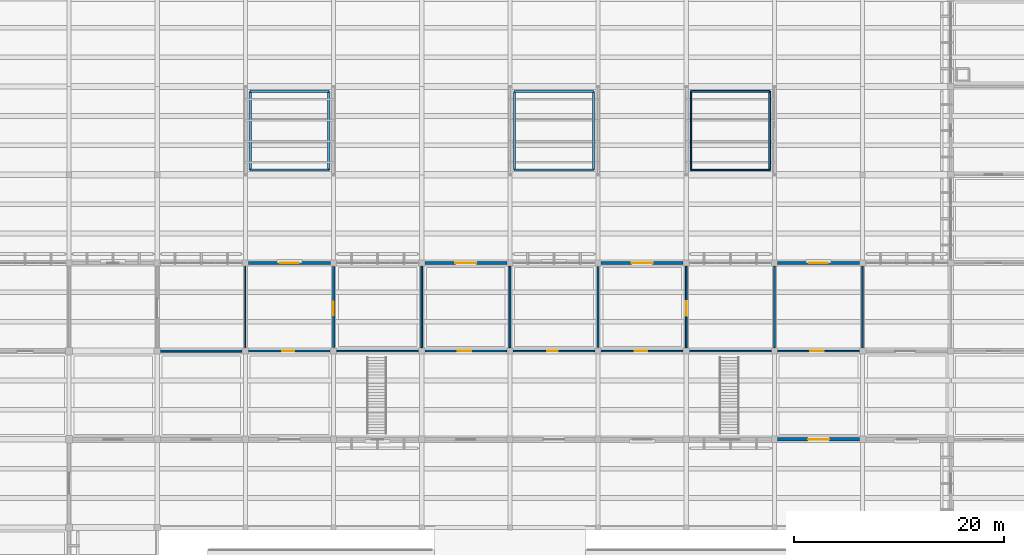
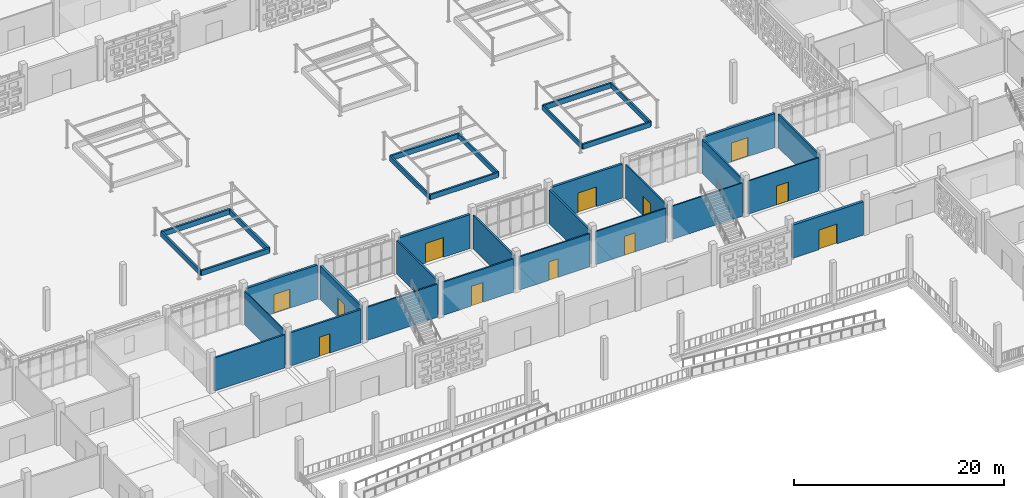
# One storey, part 61 of 129: 33 walls, 12 doors, 12 openings.
"""IFC4 building model written with IfcOpenShell, lengths in metres."""

from ifc_helpers import new_model, si_unit, direction, frame, frame_2d, origin, place, context, subcontext, project, spatial, rectangle, extrude, material, layer, layer_set, type_object, element, fill, save


model = new_model("IFC4")

# Units and contexts
model_context = context("Model", 3, precision=1e-05, world=origin(), true_north=direction((0.0, 1.0)))
body_context = subcontext(model_context, "Body", "Model", "MODEL_VIEW")
ifc_project = project(units=[si_unit("LENGTHUNIT", "METRE"), si_unit("AREAUNIT", "SQUARE_METRE"), si_unit("VOLUMEUNIT", "CUBIC_METRE"), si_unit("PLANEANGLEUNIT", "RADIAN"), si_unit("MASSUNIT", "GRAM", prefix="KILO")], contexts=[model_context])

# Site, building, storey
site_placement = place(None, origin())
site = spatial("IfcSite", under=ifc_project, at=site_placement, CompositionType="ELEMENT")
building_placement = place(site_placement, origin())
building = spatial("IfcBuilding", under=site, at=building_placement, Name="Varnapada Polytechnic", CompositionType="ELEMENT")
storey_placement = place(building_placement, origin())
storey = spatial("IfcBuildingStorey", under=building, at=storey_placement, Name="L00", CompositionType="ELEMENT", Elevation=0.0)

# Wall, opening, door
ifc_material_1 = material(Name="Moisture-Resistant Cement Board Partition")
ifc_layer_1 = layer(ifc_material_1, 0.139892578125)
ifc_layer_set_1 = layer_set([ifc_layer_1], Name="Moisture-Resistant Cement Board Partition")
wall_type_1 = type_object("IfcWallType", Name="Interior Wall IW-04", PredefinedType="PARTITIONING", material=ifc_layer_set_1)
wall_1_placement = place(storey_placement, frame((101.1201171875, 33.60009765625, 0.0), z_axis=(0.0, 0.0, 1.0), x_axis=(1.0, 0.0, 0.0)))
wall_1 = element("IfcWall", 1, at=wall_1_placement, inside=storey, type_object=wall_type_1, Name="L00 interior partition IW-L00-12-03-H", PredefinedType="PARTITIONING", context=body_context, shape_type="SweptSolid", body=[
    extrude(rectangle(XDim=7.759765625, YDim=0.139892578125, at=frame_2d((3.8798828125, 0.0))), origin(), (0.0, 0.0, 1.0), 3.8701171875),
])
opening_1_placement = place(wall_1_placement, frame((3.14990234375, 0.0, 0.0)))
opening_1 = element("IfcOpeningElement", 2, at=opening_1_placement, cuts=wall_1, Name="Opening D-887", PredefinedType="OPENING", context=body_context, shape_type="SweptSolid", body=[
    extrude(rectangle(XDim=1.199951171875, YDim=2.199951171875, at=frame_2d((0.60009765625, 1.10009765625))), frame((0.0, 0.079833984375, 0.0), z_axis=(0.0, -1.0, 0.0), x_axis=(1.0, 0.0, 0.0)), (0.0, 0.0, 1.0), 0.159912109375),
])
ifc_material_2 = material(Name="Solid Teak Hardwood Timber", Category="wood")
door_type_1 = type_object("IfcDoorType", Name="Interior Door ID-05", OperationType="NOTDEFINED", PredefinedType="DOOR", material=ifc_material_2)
door_1_placement = place(opening_1_placement, frame((1.199951171875, 0.0, 0.0), z_axis=(0.0, 0.0, 1.0), x_axis=(-1.0, 0.0, 0.0)))
door_1 = element("IfcDoor", 3, at=door_1_placement, inside=storey, type_object=door_type_1, Name="L00 interior room door D-887", OperationType="SINGLE_SWING_RIGHT", OverallHeight=2.199951171875, OverallWidth=1.199951171875, PredefinedType="DOOR", context=body_context, shape_type="SweptSolid", body=[
    extrude(rectangle(XDim=1.199951171875, YDim=2.199951171875, at=frame_2d((0.60009765625, 1.10009765625))), frame((0.0, 0.02490234375, 0.0), z_axis=(0.0, -1.0, 0.0), x_axis=(1.0, 0.0, 0.0)), (0.0, 0.0, 1.0), 0.050048828125),
])
fill(opening_1, door_1)

# Wall
ifc_material_3 = material(Name="Cross-laminated timber CLT C24", Category="wood")
ifc_layer_2 = layer(ifc_material_3, 0.159912109375)
ifc_layer_set_2 = layer_set([ifc_layer_2], Name="Cross-laminated timber CLT C24")
wall_type_2 = type_object("IfcWallType", Name="Interior Wall IW-05", PredefinedType="PARTITIONING", material=ifc_layer_set_2)
wall_2_placement = place(storey_placement, frame((75.919921875, 33.60009765625, 0.0), z_axis=(0.0, 0.0, 1.0), x_axis=(1.0, 0.0, 0.0)))
element("IfcWall", 4, at=wall_2_placement, inside=storey, type_object=wall_type_2, Name="L00 interior partition IW-L00-09-03-H", PredefinedType="PARTITIONING", context=body_context, shape_type="SweptSolid", body=[
    extrude(rectangle(XDim=7.760009765625, YDim=0.159912109375, at=frame_2d((3.8798828125, 0.0))), origin(), (0.0, 0.0, 1.0), 3.8701171875),
])

# Wall, opening, door
wall_3_placement = place(storey_placement, frame((109.199951171875, 33.919921875, 0.0), z_axis=(0.0, 0.0, 1.0), x_axis=(0.0, 1.0, 0.0)))
wall_3 = element("IfcWall", 5, at=wall_3_placement, inside=storey, type_object=wall_type_2, Name="L00 interior partition IW-L00-12-04-V", PredefinedType="PARTITIONING", context=body_context, shape_type="SweptSolid", body=[
    extrude(rectangle(XDim=7.760009765625, YDim=0.159912109375, at=frame_2d((3.8798828125, 0.0))), origin(), (0.0, 0.0, 1.0), 3.919921875),
])
opening_2_placement = place(wall_3_placement, frame((3.050048828125, 0.0, 0.0)))
opening_2 = element("IfcOpeningElement", 6, at=opening_2_placement, cuts=wall_3, Name="Opening D-888", PredefinedType="OPENING", context=body_context, shape_type="SweptSolid", body=[
    extrude(rectangle(XDim=1.39990234375, YDim=2.25, at=frame_2d((0.699951171875, 1.125))), frame((0.0, 0.08984375, 0.0), z_axis=(0.0, -1.0, 0.0), x_axis=(1.0, 0.0, 0.0)), (0.0, 0.0, 1.0), 0.179931640625),
])
ifc_material_4 = material(Name="Powder-Coated Aluminium 6063-T6", Category="aluminium")
door_type_2 = type_object("IfcDoorType", Name="Interior Door ID-06", OperationType="NOTDEFINED", PredefinedType="DOOR", material=ifc_material_4)
door_2_placement = place(opening_2_placement, origin())
door_2 = element("IfcDoor", 7, at=door_2_placement, inside=storey, type_object=door_type_2, Name="L00 interior room door D-888", OperationType="SINGLE_SWING_LEFT", OverallHeight=2.25, OverallWidth=1.39990234375, PredefinedType="DOOR", context=body_context, shape_type="SweptSolid", body=[
    extrude(rectangle(XDim=1.39990234375, YDim=2.25, at=frame_2d((0.699951171875, 1.125))), frame((0.0, 0.02490234375, 0.0), z_axis=(0.0, -1.0, 0.0), x_axis=(1.0, 0.0, 0.0)), (0.0, 0.0, 1.0), 0.050048828125),
])
fill(opening_2, door_2)

# Walls
ifc_material_5 = material(Name="Acoustic Double-Stud Studio Partition")
ifc_layer_3 = layer(ifc_material_5, 0.179931640625)
ifc_layer_set_3 = layer_set([ifc_layer_3], Name="Acoustic Double-Stud Studio Partition")
wall_type_3 = type_object("IfcWallType", Name="Interior Wall IW-06", PredefinedType="PARTITIONING", material=ifc_layer_set_3)
wall_4_placement = place(storey_placement, frame((84.0, 33.919921875, 0.0), z_axis=(0.0, 0.0, 1.0), x_axis=(0.0, 1.0, 0.0)))
element("IfcWall", 8, at=wall_4_placement, inside=storey, type_object=wall_type_3, Name="L00 interior partition IW-L00-09-04-V", PredefinedType="PARTITIONING", context=body_context, shape_type="SweptSolid", body=[
    extrude(rectangle(XDim=7.760009765625, YDim=0.179931640625, at=frame_2d((3.8798828125, 0.0))), origin(), (0.0, 0.0, 1.0), 3.919921875),
])
ifc_material_6 = material(Name="Calcium Silicate Acoustic Lab Partition")
ifc_layer_4 = layer(ifc_material_6, 0.135009765625)
ifc_layer_set_4 = layer_set([ifc_layer_4], Name="Calcium Silicate Acoustic Lab Partition")
wall_type_4 = type_object("IfcWallType", Name="Interior Wall IW-09", PredefinedType="PARTITIONING", material=ifc_layer_set_4)
wall_5_placement = place(storey_placement, frame((109.52001953125, 33.60009765625, 0.0), z_axis=(0.0, 0.0, 1.0), x_axis=(1.0, 0.0, 0.0)))
element("IfcWall", 9, at=wall_5_placement, inside=storey, type_object=wall_type_4, Name="L00 interior partition IW-L00-13-03-H", PredefinedType="PARTITIONING", context=body_context, shape_type="SweptSolid", body=[
    extrude(rectangle(XDim=7.760009765625, YDim=0.135009765625, at=frame_2d((3.8798828125, 0.0))), origin(), (0.0, 0.0, 1.0), 3.8701171875),
])

# Wall, opening, door
ifc_material_7 = material(Name="Double-Layer Fireboard Workshop Wall")
ifc_layer_5 = layer(ifc_material_7, 0.169921875)
ifc_layer_set_5 = layer_set([ifc_layer_5], Name="Double-Layer Fireboard Workshop Wall")
wall_type_5 = type_object("IfcWallType", Name="Interior Wall IW-10", PredefinedType="PARTITIONING", material=ifc_layer_set_5)
wall_6_placement = place(storey_placement, frame((84.320068359375, 33.60009765625, 0.0), z_axis=(0.0, 0.0, 1.0), x_axis=(1.0, 0.0, 0.0)))
wall_6 = element("IfcWall", 10, at=wall_6_placement, inside=storey, type_object=wall_type_5, Name="L00 interior partition IW-L00-10-03-H", PredefinedType="PARTITIONING", context=body_context, shape_type="SweptSolid", body=[
    extrude(rectangle(XDim=7.760009765625, YDim=0.169921875, at=frame_2d((3.8798828125, 0.0))), origin(), (0.0, 0.0, 1.0), 3.8701171875),
])
opening_3_placement = place(wall_6_placement, frame((3.125, 0.0, 0.0)))
opening_3 = element("IfcOpeningElement", 11, at=opening_3_placement, cuts=wall_6, Name="Opening D-881", PredefinedType="OPENING", context=body_context, shape_type="SweptSolid", body=[
    extrude(rectangle(XDim=1.25, YDim=2.300048828125, at=frame_2d((0.625, 1.14990234375))), frame((0.0, 0.094970703125, 0.0), z_axis=(0.0, -1.0, 0.0), x_axis=(1.0, 0.0, 0.0)), (0.0, 0.0, 1.0), 0.18994140625),
])
door_type_3 = type_object("IfcDoorType", Name="Interior Door ID-16", OperationType="NOTDEFINED", PredefinedType="DOOR", material=ifc_material_2)
door_3_placement = place(opening_3_placement, frame((1.25, 0.0, 0.0), z_axis=(0.0, 0.0, 1.0), x_axis=(-1.0, 0.0, 0.0)))
door_3 = element("IfcDoor", 12, at=door_3_placement, inside=storey, type_object=door_type_3, Name="L00 interior room door D-881", OperationType="SINGLE_SWING_RIGHT", OverallHeight=2.300048828125, OverallWidth=1.25, PredefinedType="DOOR", context=body_context, shape_type="SweptSolid", body=[
    extrude(rectangle(XDim=1.25, YDim=2.300048828125, at=frame_2d((0.625, 1.14990234375))), frame((0.0, 0.02490234375, 0.0), z_axis=(0.0, -1.0, 0.0), x_axis=(1.0, 0.0, 0.0)), (0.0, 0.0, 1.0), 0.050048828125),
])
fill(opening_3, door_3)

# Walls
wall_7_placement = place(storey_placement, frame((117.60009765625, 33.919921875, 0.0), z_axis=(0.0, 0.0, 1.0), x_axis=(0.0, 1.0, 0.0)))
element("IfcWall", 13, at=wall_7_placement, inside=storey, type_object=wall_type_5, Name="L00 interior partition IW-L00-13-04-V", PredefinedType="PARTITIONING", context=body_context, shape_type="SweptSolid", body=[
    extrude(rectangle(XDim=7.760009765625, YDim=0.169921875, at=frame_2d((3.8798828125, 0.0))), origin(), (0.0, 0.0, 1.0), 3.919921875),
])
ifc_material_8 = material(Name="Insulated Masonry Plant Room Wall", Category="masonry")
ifc_layer_6 = layer(ifc_material_8, 0.18994140625)
ifc_layer_set_6 = layer_set([ifc_layer_6], Name="Insulated Masonry Plant Room Wall")
wall_type_6 = type_object("IfcWallType", Name="Interior Wall IW-11", PredefinedType="PARTITIONING", material=ifc_layer_set_6)
wall_8_placement = place(storey_placement, frame((59.1201171875, 33.60009765625, 0.0), z_axis=(0.0, 0.0, 1.0), x_axis=(1.0, 0.0, 0.0)))
element("IfcWall", 14, at=wall_8_placement, inside=storey, type_object=wall_type_6, Name="L00 interior partition IW-L00-07-03-H", PredefinedType="PARTITIONING", context=body_context, shape_type="SweptSolid", body=[
    extrude(rectangle(XDim=7.759765625, YDim=0.18994140625, at=frame_2d((3.8798828125, 0.0))), origin(), (0.0, 0.0, 1.0), 3.860107421875),
])
wall_9_placement = place(storey_placement, frame((92.39990234375, 33.919921875, 0.0), z_axis=(0.0, 0.0, 1.0), x_axis=(0.0, 1.0, 0.0)))
element("IfcWall", 15, at=wall_9_placement, inside=storey, type_object=wall_type_6, Name="L00 interior partition IW-L00-10-04-V", PredefinedType="PARTITIONING", context=body_context, shape_type="SweptSolid", body=[
    extrude(rectangle(XDim=7.760009765625, YDim=0.18994140625, at=frame_2d((3.8798828125, 0.0))), origin(), (0.0, 0.0, 1.0), 3.919921875),
])
ifc_material_9 = material(Name="Timber-Stud Studio Critique Partition", Category="wood")
ifc_layer_7 = layer(ifc_material_9, 0.114990234375)
ifc_layer_set_7 = layer_set([ifc_layer_7], Name="Timber-Stud Studio Critique Partition")
wall_type_7 = type_object("IfcWallType", Name="Interior Wall IW-12", PredefinedType="PARTITIONING", material=ifc_layer_set_7)
wall_10_placement = place(storey_placement, frame((67.199951171875, 33.919921875, 0.0), z_axis=(0.0, 0.0, 1.0), x_axis=(0.0, 1.0, 0.0)))
element("IfcWall", 16, at=wall_10_placement, inside=storey, type_object=wall_type_7, Name="L00 interior partition IW-L00-07-04-V", PredefinedType="PARTITIONING", context=body_context, shape_type="SweptSolid", body=[
    extrude(rectangle(XDim=7.760009765625, YDim=0.114990234375, at=frame_2d((3.8798828125, 0.0))), origin(), (0.0, 0.0, 1.0), 3.919921875),
])

# Wall, opening, door
ifc_material_10 = material(Name="Ceramic-Tiled Wet Laboratory Wall")
ifc_layer_8 = layer(ifc_material_10, 0.14501953125)
ifc_layer_set_8 = layer_set([ifc_layer_8], Name="Ceramic-Tiled Wet Laboratory Wall")
wall_type_8 = type_object("IfcWallType", Name="Interior Wall IW-14", PredefinedType="PARTITIONING", material=ifc_layer_set_8)
wall_11_placement = place(storey_placement, frame((117.919921875, 33.60009765625, 0.0), z_axis=(0.0, 0.0, 1.0), x_axis=(1.0, 0.0, 0.0)))
wall_11 = element("IfcWall", 17, at=wall_11_placement, inside=storey, type_object=wall_type_8, Name="L00 interior partition IW-L00-14-03-H", PredefinedType="PARTITIONING", context=body_context, shape_type="SweptSolid", body=[
    extrude(rectangle(XDim=7.760009765625, YDim=0.14501953125, at=frame_2d((3.8798828125, 0.0))), origin(), (0.0, 0.0, 1.0), 3.8701171875),
])
opening_4_placement = place(wall_11_placement, frame((3.10009765625, 0.0, 0.0)))
opening_4 = element("IfcOpeningElement", 18, at=opening_4_placement, cuts=wall_11, Name="Opening D-893", PredefinedType="OPENING", context=body_context, shape_type="SweptSolid", body=[
    extrude(rectangle(XDim=1.300048828125, YDim=2.199951171875, at=frame_2d((0.64990234375, 1.10009765625))), frame((0.0, 0.08251953125, 0.0), z_axis=(0.0, -1.0, 0.0), x_axis=(1.0, 0.0, 0.0)), (0.0, 0.0, 1.0), 0.1650390625),
])
ifc_material_11 = material(Name="Acoustic Laminated Timber Leaf", Category="wood")
door_type_4 = type_object("IfcDoorType", Name="Interior Door ID-11", OperationType="NOTDEFINED", PredefinedType="DOOR", material=ifc_material_11)
door_4_placement = place(opening_4_placement, frame((1.300048828125, 0.0, 0.0), z_axis=(0.0, 0.0, 1.0), x_axis=(-1.0, 0.0, 0.0)))
door_4 = element("IfcDoor", 19, at=door_4_placement, inside=storey, type_object=door_type_4, Name="L00 interior room door D-893", OperationType="SINGLE_SWING_RIGHT", OverallHeight=2.199951171875, OverallWidth=1.300048828125, PredefinedType="DOOR", context=body_context, shape_type="SweptSolid", body=[
    extrude(rectangle(XDim=1.300048828125, YDim=2.199951171875, at=frame_2d((0.64990234375, 1.10009765625))), frame((0.0, 0.02490234375, 0.0), z_axis=(0.0, -1.0, 0.0), x_axis=(1.0, 0.0, 0.0)), (0.0, 0.0, 1.0), 0.050048828125),
])
fill(opening_4, door_4)

ifc_material_12 = material(Name="Perforated Timber-Lined Seminar Wall", Category="wood")
ifc_layer_9 = layer(ifc_material_12, 0.155029296875)
ifc_layer_set_9 = layer_set([ifc_layer_9], Name="Perforated Timber-Lined Seminar Wall")
wall_type_9 = type_object("IfcWallType", Name="Interior Wall IW-15", PredefinedType="PARTITIONING", material=ifc_layer_set_9)
wall_12_placement = place(storey_placement, frame((92.719970703125, 33.60009765625, 0.0), z_axis=(0.0, 0.0, 1.0), x_axis=(1.0, 0.0, 0.0)))
wall_12 = element("IfcWall", 20, at=wall_12_placement, inside=storey, type_object=wall_type_9, Name="L00 interior partition IW-L00-11-03-H", PredefinedType="PARTITIONING", context=body_context, shape_type="SweptSolid", body=[
    extrude(rectangle(XDim=7.760009765625, YDim=0.155029296875, at=frame_2d((3.8798828125, 0.0))), origin(), (0.0, 0.0, 1.0), 3.8701171875),
])
opening_5_placement = place(wall_12_placement, frame((3.25, 0.0, 0.0)))
opening_5 = element("IfcOpeningElement", 21, at=opening_5_placement, cuts=wall_12, Name="Opening D-884", PredefinedType="OPENING", context=body_context, shape_type="SweptSolid", body=[
    extrude(rectangle(XDim=1.0, YDim=2.14990234375, at=frame_2d((0.5, 1.074951171875))), frame((0.0, 0.08740234375, 0.0), z_axis=(0.0, -1.0, 0.0), x_axis=(1.0, 0.0, 0.0)), (0.0, 0.0, 1.0), 0.175048828125),
])
door_type_5 = type_object("IfcDoorType", Name="Interior Door ID-02", OperationType="NOTDEFINED", PredefinedType="DOOR", material=ifc_material_2)
door_5_placement = place(opening_5_placement, frame((1.0, 0.0, 0.0), z_axis=(0.0, 0.0, 1.0), x_axis=(-1.0, 0.0, 0.0)))
door_5 = element("IfcDoor", 22, at=door_5_placement, inside=storey, type_object=door_type_5, Name="L00 interior room door D-884", OperationType="SINGLE_SWING_LEFT", OverallHeight=2.14990234375, OverallWidth=1.0, PredefinedType="DOOR", context=body_context, shape_type="SweptSolid", body=[
    extrude(rectangle(XDim=1.0, YDim=2.14990234375, at=frame_2d((0.5, 1.074951171875))), frame((0.0, 0.02490234375, 0.0), z_axis=(0.0, -1.0, 0.0), x_axis=(1.0, 0.0, 0.0)), (0.0, 0.0, 1.0), 0.050048828125),
])
fill(opening_5, door_5)

# Wall
wall_13_placement = place(storey_placement, frame((126.0, 33.919921875, 0.0), z_axis=(0.0, 0.0, 1.0), x_axis=(0.0, 1.0, 0.0)))
element("IfcWall", 23, at=wall_13_placement, inside=storey, type_object=wall_type_9, Name="L00 interior partition IW-L00-14-04-V", PredefinedType="PARTITIONING", context=body_context, shape_type="SweptSolid", body=[
    extrude(rectangle(XDim=7.760009765625, YDim=0.155029296875, at=frame_2d((3.8798828125, 0.0))), origin(), (0.0, 0.0, 1.0), 3.919921875),
])

# Wall, opening, door
ifc_material_13 = material(Name="Heavy Masonry Workshop Partition", Category="masonry")
ifc_layer_10 = layer(ifc_material_13, 0.2099609375)
ifc_layer_set_10 = layer_set([ifc_layer_10], Name="Heavy Masonry Workshop Partition")
wall_type_10 = type_object("IfcWallType", Name="Interior Wall IW-16", PredefinedType="PARTITIONING", material=ifc_layer_set_10)
wall_14_placement = place(storey_placement, frame((67.52001953125, 33.60009765625, 0.0), z_axis=(0.0, 0.0, 1.0), x_axis=(1.0, 0.0, 0.0)))
wall_14 = element("IfcWall", 24, at=wall_14_placement, inside=storey, type_object=wall_type_10, Name="L00 interior partition IW-L00-08-03-H", PredefinedType="PARTITIONING", context=body_context, shape_type="SweptSolid", body=[
    extrude(rectangle(XDim=7.760009765625, YDim=0.2099609375, at=frame_2d((3.8798828125, 0.0))), origin(), (0.0, 0.0, 1.0), 3.8701171875),
])
opening_6_placement = place(wall_14_placement, frame((3.175048828125, 0.0, 0.0)))
opening_6 = element("IfcOpeningElement", 25, at=opening_6_placement, cuts=wall_14, Name="Opening D-875", PredefinedType="OPENING", context=body_context, shape_type="SweptSolid", body=[
    extrude(rectangle(XDim=1.14990234375, YDim=2.25, at=frame_2d((0.574951171875, 1.125))), frame((0.0, 0.114990234375, 0.0), z_axis=(0.0, -1.0, 0.0), x_axis=(1.0, 0.0, 0.0)), (0.0, 0.0, 1.0), 0.22998046875),
])
door_type_6 = type_object("IfcDoorType", Name="Interior Door ID-10", OperationType="NOTDEFINED", PredefinedType="DOOR", material=ifc_material_4)
door_6_placement = place(opening_6_placement, frame((1.14990234375, 0.0, 0.0), z_axis=(0.0, 0.0, 1.0), x_axis=(-1.0, 0.0, 0.0)))
door_6 = element("IfcDoor", 26, at=door_6_placement, inside=storey, type_object=door_type_6, Name="L00 interior room door D-875", OperationType="SINGLE_SWING_RIGHT", OverallHeight=2.25, OverallWidth=1.14990234375, PredefinedType="DOOR", context=body_context, shape_type="SweptSolid", body=[
    extrude(rectangle(XDim=1.14990234375, YDim=2.25, at=frame_2d((0.574951171875, 1.125))), frame((0.0, 0.02490234375, 0.0), z_axis=(0.0, -1.0, 0.0), x_axis=(1.0, 0.0, 0.0)), (0.0, 0.0, 1.0), 0.050048828125),
])
fill(opening_6, door_6)

# Wall
wall_15_placement = place(storey_placement, frame((100.800048828125, 33.919921875, 0.0), z_axis=(0.0, 0.0, 1.0), x_axis=(0.0, 1.0, 0.0)))
element("IfcWall", 27, at=wall_15_placement, inside=storey, type_object=wall_type_10, Name="L00 interior partition IW-L00-11-04-V", PredefinedType="PARTITIONING", context=body_context, shape_type="SweptSolid", body=[
    extrude(rectangle(XDim=7.760009765625, YDim=0.2099609375, at=frame_2d((3.8798828125, 0.0))), origin(), (0.0, 0.0, 1.0), 3.919921875),
])

# Wall, opening, door
ifc_material_14 = material(Name="Double-Leaf Acoustic Lecture Wall")
ifc_layer_11 = layer(ifc_material_14, 0.235107421875)
ifc_layer_set_11 = layer_set([ifc_layer_11], Name="Double-Leaf Acoustic Lecture Wall")
wall_type_11 = type_object("IfcWallType", Name="Interior Wall IW-17", PredefinedType="PARTITIONING", material=ifc_layer_set_11)
wall_16_placement = place(storey_placement, frame((75.60009765625, 33.919921875, 0.0), z_axis=(0.0, 0.0, 1.0), x_axis=(0.0, 1.0, 0.0)))
wall_16 = element("IfcWall", 28, at=wall_16_placement, inside=storey, type_object=wall_type_11, Name="L00 interior partition IW-L00-08-04-V", PredefinedType="PARTITIONING", context=body_context, shape_type="SweptSolid", body=[
    extrude(rectangle(XDim=7.760009765625, YDim=0.235107421875, at=frame_2d((3.8798828125, 0.0))), origin(), (0.0, 0.0, 1.0), 3.919921875),
])
opening_7_placement = place(wall_16_placement, frame((3.10009765625, 0.0, 0.0)))
opening_7 = element("IfcOpeningElement", 29, at=opening_7_placement, cuts=wall_16, Name="Opening D-876", PredefinedType="OPENING", context=body_context, shape_type="SweptSolid", body=[
    extrude(rectangle(XDim=1.300048828125, YDim=2.199951171875, at=frame_2d((0.64990234375, 1.10009765625))), frame((0.0, 0.12744140625, 0.0), z_axis=(0.0, -1.0, 0.0), x_axis=(1.0, 0.0, 0.0)), (0.0, 0.0, 1.0), 0.255126953125),
])
door_7_placement = place(opening_7_placement, origin())
door_7 = element("IfcDoor", 30, at=door_7_placement, inside=storey, type_object=door_type_4, Name="L00 interior room door D-876", OperationType="SINGLE_SWING_LEFT", OverallHeight=2.199951171875, OverallWidth=1.300048828125, PredefinedType="DOOR", context=body_context, shape_type="SweptSolid", body=[
    extrude(rectangle(XDim=1.300048828125, YDim=2.199951171875, at=frame_2d((0.64990234375, 1.10009765625))), frame((0.0, 0.02490234375, 0.0), z_axis=(0.0, -1.0, 0.0), x_axis=(1.0, 0.0, 0.0)), (0.0, 0.0, 1.0), 0.050048828125),
])
fill(opening_7, door_7)

ifc_material_15 = material(Name="Precast concrete C40/50", Category="concrete")
ifc_layer_12 = layer(ifc_material_15, 0.300048828125)
ifc_layer_set_12 = layer_set([ifc_layer_12], Name="Precast concrete C40/50")
wall_type_12 = type_object("IfcWallType", Name="Wall EW-01", PredefinedType="SOLIDWALL", material=ifc_layer_set_12)
wall_17_placement = place(storey_placement, frame((125.699951171875, 25.199951171875, 0.0), z_axis=(0.0, 0.0, 1.0), x_axis=(-1.0, 0.0, 0.0)))
wall_17 = element("IfcWall", 31, at=wall_17_placement, inside=storey, type_object=wall_type_12, Name="L00 exterior wall EW-01 (72)", PredefinedType="SOLIDWALL", context=body_context, shape_type="SweptSolid", body=[
    extrude(rectangle(XDim=7.800048828125, YDim=0.300048828125, at=frame_2d((3.89990234375, 0.0))), origin(), (0.0, 0.0, 1.0), 3.8701171875),
])
opening_8_placement = place(wall_17_placement, frame((2.89990234375, 0.0, 0.0)))
opening_8 = element("IfcOpeningElement", 32, at=opening_8_placement, cuts=wall_17, Name="Opening D-020", PredefinedType="OPENING", context=body_context, shape_type="SweptSolid", body=[
    extrude(rectangle(XDim=2.0, YDim=2.300048828125, at=frame_2d((1.0, 1.14990234375))), frame((0.0, 0.159912109375, 0.0), z_axis=(0.0, -1.0, 0.0), x_axis=(1.0, 0.0, 0.0)), (0.0, 0.0, 1.0), 0.320068359375),
])
ifc_material_16 = material(Name="Anodised aluminium and laminated glass", Category="aluminium")
door_type_7 = type_object("IfcDoorType", Name="Exterior Door ED-01", OperationType="DOUBLE_DOOR_SINGLE_SWING", PredefinedType="DOOR", material=ifc_material_16)
door_8_placement = place(opening_8_placement, origin())
door_8 = element("IfcDoor", 33, at=door_8_placement, inside=storey, type_object=door_type_7, Name="L00 final pedestrian exit door D-020", OperationType="DOUBLE_DOOR_SINGLE_SWING", OverallHeight=2.300048828125, OverallWidth=2.0, PredefinedType="DOOR", context=body_context, shape_type="SweptSolid", body=[
    extrude(rectangle(XDim=2.0, YDim=2.300048828125, at=frame_2d((1.0, 1.14990234375))), frame((0.0, 0.02490234375, 0.0), z_axis=(0.0, -1.0, 0.0), x_axis=(1.0, 0.0, 0.0)), (0.0, 0.0, 1.0), 0.050048828125),
])
fill(opening_8, door_8)

ifc_layer_13 = layer(ifc_material_15, 0.260009765625)
ifc_layer_set_13 = layer_set([ifc_layer_13], Name="Precast concrete C40/50")
wall_type_13 = type_object("IfcWallType", Name="Wall EW-03", PredefinedType="SOLIDWALL", material=ifc_layer_set_13)
wall_18_placement = place(storey_placement, frame((67.5, 42.0, 0.0), z_axis=(0.0, 0.0, 1.0), x_axis=(1.0, 0.0, 0.0)))
wall_18 = element("IfcWall", 34, at=wall_18_placement, inside=storey, type_object=wall_type_13, Name="L00 exterior wall EW-03 (49)", PredefinedType="SOLIDWALL", context=body_context, shape_type="SweptSolid", body=[
    extrude(rectangle(XDim=7.800048828125, YDim=0.260009765625, at=frame_2d((3.89990234375, 0.0))), origin(), (0.0, 0.0, 1.0), 3.9599609375),
])
opening_9_placement = place(wall_18_placement, frame((3.0, 0.0, 0.0)))
opening_9 = element("IfcOpeningElement", 35, at=opening_9_placement, cuts=wall_18, Name="Opening D-011", PredefinedType="OPENING", context=body_context, shape_type="SweptSolid", body=[
    extrude(rectangle(XDim=1.800048828125, YDim=2.199951171875, at=frame_2d((0.89990234375, 1.10009765625))), frame((0.0, 0.139892578125, 0.0), z_axis=(0.0, -1.0, 0.0), x_axis=(1.0, 0.0, 0.0)), (0.0, 0.0, 1.0), 0.280029296875),
])
ifc_material_17 = material(Name="Painted galvanized steel", Category="steel")
door_type_8 = type_object("IfcDoorType", Name="Exterior Door ED-02", OperationType="DOUBLE_DOOR_SINGLE_SWING", PredefinedType="DOOR", material=ifc_material_17)
door_9_placement = place(opening_9_placement, origin())
door_9 = element("IfcDoor", 36, at=door_9_placement, inside=storey, type_object=door_type_8, Name="L00 final pedestrian exit door D-011", OperationType="DOUBLE_DOOR_SINGLE_SWING", OverallHeight=2.199951171875, OverallWidth=1.800048828125, PredefinedType="DOOR", context=body_context, shape_type="SweptSolid", body=[
    extrude(rectangle(XDim=1.800048828125, YDim=2.199951171875, at=frame_2d((0.89990234375, 1.10009765625))), frame((0.0, 0.02490234375, 0.0), z_axis=(0.0, -1.0, 0.0), x_axis=(1.0, 0.0, 0.0)), (0.0, 0.0, 1.0), 0.050048828125),
])
fill(opening_9, door_9)

wall_19_placement = place(storey_placement, frame((84.300048828125, 42.0, 0.0), z_axis=(0.0, 0.0, 1.0), x_axis=(1.0, 0.0, 0.0)))
wall_19 = element("IfcWall", 37, at=wall_19_placement, inside=storey, type_object=wall_type_13, Name="L00 exterior wall EW-03 (57)", PredefinedType="SOLIDWALL", context=body_context, shape_type="SweptSolid", body=[
    extrude(rectangle(XDim=7.800048828125, YDim=0.260009765625, at=frame_2d((3.89990234375, 0.0))), origin(), (0.0, 0.0, 1.0), 3.9599609375),
])
opening_10_placement = place(wall_19_placement, frame((2.89990234375, 0.0, 0.0)))
opening_10 = element("IfcOpeningElement", 38, at=opening_10_placement, cuts=wall_19, Name="Opening D-014", PredefinedType="OPENING", context=body_context, shape_type="SweptSolid", body=[
    extrude(rectangle(XDim=2.0, YDim=2.300048828125, at=frame_2d((1.0, 1.14990234375))), frame((0.0, 0.139892578125, 0.0), z_axis=(0.0, -1.0, 0.0), x_axis=(1.0, 0.0, 0.0)), (0.0, 0.0, 1.0), 0.280029296875),
])
door_10_placement = place(opening_10_placement, origin())
door_10 = element("IfcDoor", 39, at=door_10_placement, inside=storey, type_object=door_type_7, Name="L00 final pedestrian exit door D-014", OperationType="DOUBLE_DOOR_SINGLE_SWING", OverallHeight=2.300048828125, OverallWidth=2.0, PredefinedType="DOOR", context=body_context, shape_type="SweptSolid", body=[
    extrude(rectangle(XDim=2.0, YDim=2.300048828125, at=frame_2d((1.0, 1.14990234375))), frame((0.0, 0.02490234375, 0.0), z_axis=(0.0, -1.0, 0.0), x_axis=(1.0, 0.0, 0.0)), (0.0, 0.0, 1.0), 0.050048828125),
])
fill(opening_10, door_10)

wall_20_placement = place(storey_placement, frame((101.10009765625, 42.0, 0.0), z_axis=(0.0, 0.0, 1.0), x_axis=(1.0, 0.0, 0.0)))
wall_20 = element("IfcWall", 40, at=wall_20_placement, inside=storey, type_object=wall_type_13, Name="L00 exterior wall EW-03 (65)", PredefinedType="SOLIDWALL", context=body_context, shape_type="SweptSolid", body=[
    extrude(rectangle(XDim=7.7998046875, YDim=0.260009765625, at=frame_2d((3.89990234375, 0.0))), origin(), (0.0, 0.0, 1.0), 3.9599609375),
])
opening_11_placement = place(wall_20_placement, frame((2.89990234375, 0.0, 0.0)))
opening_11 = element("IfcOpeningElement", 41, at=opening_11_placement, cuts=wall_20, Name="Opening D-018", PredefinedType="OPENING", context=body_context, shape_type="SweptSolid", body=[
    extrude(rectangle(XDim=2.0, YDim=2.300048828125, at=frame_2d((1.0, 1.14990234375))), frame((0.0, 0.139892578125, 0.0), z_axis=(0.0, -1.0, 0.0), x_axis=(1.0, 0.0, 0.0)), (0.0, 0.0, 1.0), 0.280029296875),
])
door_11_placement = place(opening_11_placement, origin())
door_11 = element("IfcDoor", 42, at=door_11_placement, inside=storey, type_object=door_type_7, Name="L00 final pedestrian exit door D-018", OperationType="DOUBLE_DOOR_SINGLE_SWING", OverallHeight=2.300048828125, OverallWidth=2.0, PredefinedType="DOOR", context=body_context, shape_type="SweptSolid", body=[
    extrude(rectangle(XDim=2.0, YDim=2.300048828125, at=frame_2d((1.0, 1.14990234375))), frame((0.0, 0.02490234375, 0.0), z_axis=(0.0, -1.0, 0.0), x_axis=(1.0, 0.0, 0.0)), (0.0, 0.0, 1.0), 0.050048828125),
])
fill(opening_11, door_11)

wall_21_placement = place(storey_placement, frame((117.89990234375, 42.0, 0.0), z_axis=(0.0, 0.0, 1.0), x_axis=(1.0, 0.0, 0.0)))
wall_21 = element("IfcWall", 43, at=wall_21_placement, inside=storey, type_object=wall_type_13, Name="L00 exterior wall EW-03 (73)", PredefinedType="SOLIDWALL", context=body_context, shape_type="SweptSolid", body=[
    extrude(rectangle(XDim=7.800048828125, YDim=0.260009765625, at=frame_2d((3.89990234375, 0.0))), origin(), (0.0, 0.0, 1.0), 3.9599609375),
])
opening_12_placement = place(wall_21_placement, frame((3.0, 0.0, 0.0)))
opening_12 = element("IfcOpeningElement", 44, at=opening_12_placement, cuts=wall_21, Name="Opening D-021", PredefinedType="OPENING", context=body_context, shape_type="SweptSolid", body=[
    extrude(rectangle(XDim=1.800048828125, YDim=2.199951171875, at=frame_2d((0.89990234375, 1.10009765625))), frame((0.0, 0.139892578125, 0.0), z_axis=(0.0, -1.0, 0.0), x_axis=(1.0, 0.0, 0.0)), (0.0, 0.0, 1.0), 0.280029296875),
])
door_12_placement = place(opening_12_placement, origin())
door_12 = element("IfcDoor", 45, at=door_12_placement, inside=storey, type_object=door_type_8, Name="L00 final pedestrian exit door D-021", OperationType="DOUBLE_DOOR_SINGLE_SWING", OverallHeight=2.199951171875, OverallWidth=1.800048828125, PredefinedType="DOOR", context=body_context, shape_type="SweptSolid", body=[
    extrude(rectangle(XDim=1.800048828125, YDim=2.199951171875, at=frame_2d((0.89990234375, 1.10009765625))), frame((0.0, 0.02490234375, 0.0), z_axis=(0.0, -1.0, 0.0), x_axis=(1.0, 0.0, 0.0)), (0.0, 0.0, 1.0), 0.050048828125),
])
fill(opening_12, door_12)

# Walls
ifc_layer_14 = layer(ifc_material_15, 0.219970703125)
ifc_layer_set_14 = layer_set([ifc_layer_14], Name="Precast concrete C40/50")
wall_type_14 = type_object("IfcWallType", Name="Wall PR-01", PredefinedType="PARAPET", material=ifc_layer_set_14)
for number, where, z_axis, x_axis, name in (
    (46, (67.64990234375, 50.85009765625, 0.0), (0.0, 0.0, 1.0), (1.0, 0.0, 0.0), "Courtyard planted garden planter kerb CT-BED-1.1"),
    (47, (75.14990234375, 50.85009765625, 0.0), (0.0, 0.0, 1.0), (0.0, 1.0, 0.0), "Courtyard planted garden planter kerb CT-BED-1.2"),
    (48, (75.14990234375, 58.35009765625, 0.0), (0.0, 0.0, 1.0), (-1.0, 0.0, 0.0), "Courtyard planted garden planter kerb CT-BED-1.3"),
    (49, (67.64990234375, 58.35009765625, 0.0), (0.0, 0.0, 1.0), (0.0, -1.0, 0.0), "Courtyard planted garden planter kerb CT-BED-1.4"),
):
    element("IfcWall", number, at=place(storey_placement, frame(where, z_axis=z_axis, x_axis=x_axis)), inside=storey, type_object=wall_type_14, Name=name, PredefinedType="PARAPET", context=body_context, shape_type="SweptSolid", body=[
        extrude(rectangle(XDim=7.5, YDim=0.219970703125, at=frame_2d((3.75, 0.0))), origin(), (0.0, 0.0, 1.0), 0.580078125),
    ])
ifc_layer_15 = layer(ifc_material_15, 0.199951171875)
ifc_layer_set_15 = layer_set([ifc_layer_15], Name="Precast concrete C40/50")
wall_type_15 = type_object("IfcWallType", Name="Wall PR-02", PredefinedType="PARAPET", material=ifc_layer_set_15)
for number, where, z_axis, x_axis, name in (
    (50, (92.85009765625, 50.85009765625, 0.0), (0.0, 0.0, 1.0), (1.0, 0.0, 0.0), "Courtyard planted garden planter kerb CT-BED-2.1"),
    (51, (100.35009765625, 50.85009765625, 0.0), (0.0, 0.0, 1.0), (0.0, 1.0, 0.0), "Courtyard planted garden planter kerb CT-BED-2.2"),
    (52, (100.35009765625, 58.35009765625, 0.0), (0.0, 0.0, 1.0), (-1.0, 0.0, 0.0), "Courtyard planted garden planter kerb CT-BED-2.3"),
    (53, (92.85009765625, 58.35009765625, 0.0), (0.0, 0.0, 1.0), (0.0, -1.0, 0.0), "Courtyard planted garden planter kerb CT-BED-2.4"),
):
    element("IfcWall", number, at=place(storey_placement, frame(where, z_axis=z_axis, x_axis=x_axis)), inside=storey, type_object=wall_type_15, Name=name, PredefinedType="PARAPET", context=body_context, shape_type="SweptSolid", body=[
        extrude(rectangle(XDim=7.5, YDim=0.199951171875, at=frame_2d((3.75, 0.0))), origin(), (0.0, 0.0, 1.0), 0.580078125),
    ])
ifc_layer_16 = layer(ifc_material_15, 0.179931640625)
ifc_layer_set_16 = layer_set([ifc_layer_16], Name="Precast concrete C40/50")
wall_type_16 = type_object("IfcWallType", Name="Wall PR-03", PredefinedType="PARAPET", material=ifc_layer_set_16)
for number, where, z_axis, x_axis, name in (
    (54, (109.64990234375, 50.85009765625, 0.0), (0.0, 0.0, 1.0), (1.0, 0.0, 0.0), "Courtyard planted garden planter kerb CT-BED-3.1"),
    (55, (117.14990234375, 50.85009765625, 0.0), (0.0, 0.0, 1.0), (0.0, 1.0, 0.0), "Courtyard planted garden planter kerb CT-BED-3.2"),
    (56, (117.14990234375, 58.35009765625, 0.0), (0.0, 0.0, 1.0), (-1.0, 0.0, 0.0), "Courtyard planted garden planter kerb CT-BED-3.3"),
    (57, (109.64990234375, 58.35009765625, 0.0), (0.0, 0.0, 1.0), (0.0, -1.0, 0.0), "Courtyard planted garden planter kerb CT-BED-3.4"),
):
    element("IfcWall", number, at=place(storey_placement, frame(where, z_axis=z_axis, x_axis=x_axis)), inside=storey, type_object=wall_type_16, Name=name, PredefinedType="PARAPET", context=body_context, shape_type="SweptSolid", body=[
        extrude(rectangle(XDim=7.5, YDim=0.179931640625, at=frame_2d((3.75, 0.0))), origin(), (0.0, 0.0, 1.0), 0.580078125),
    ])

save(model, "model.ifc")
